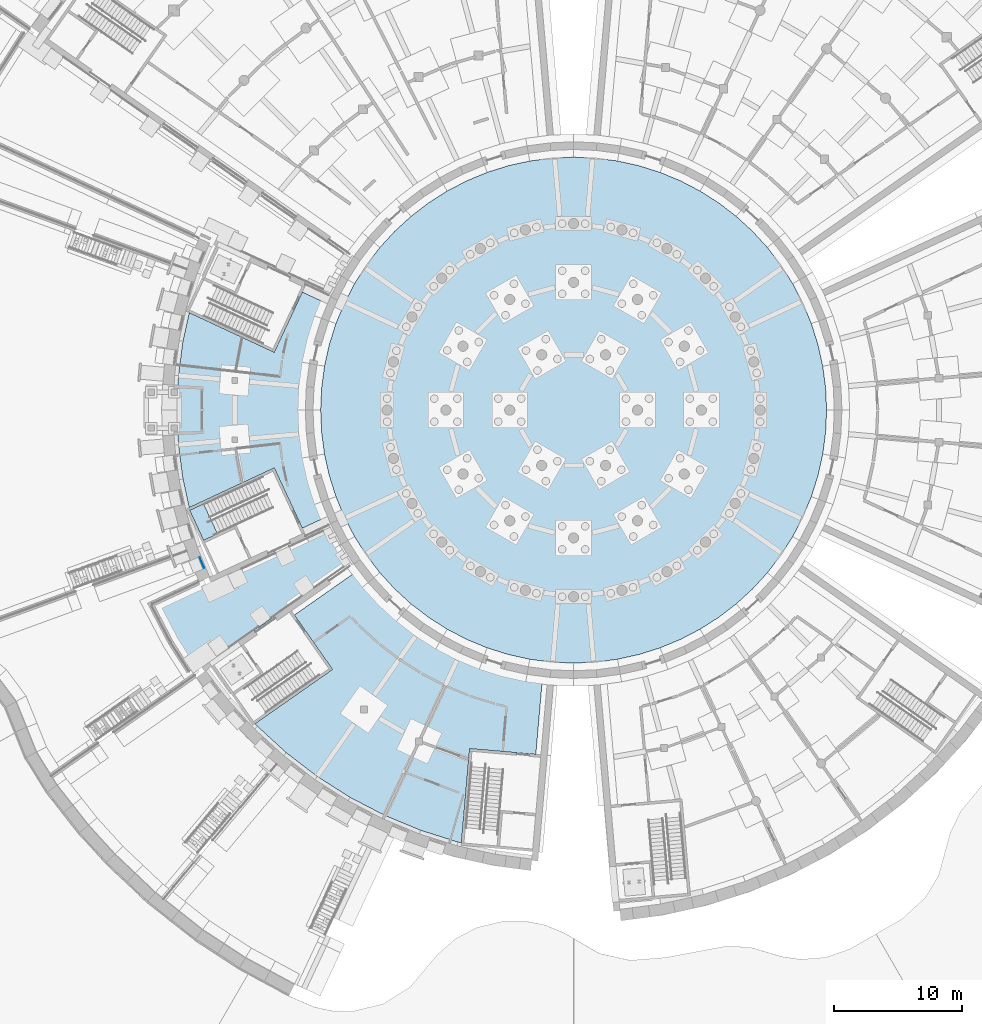
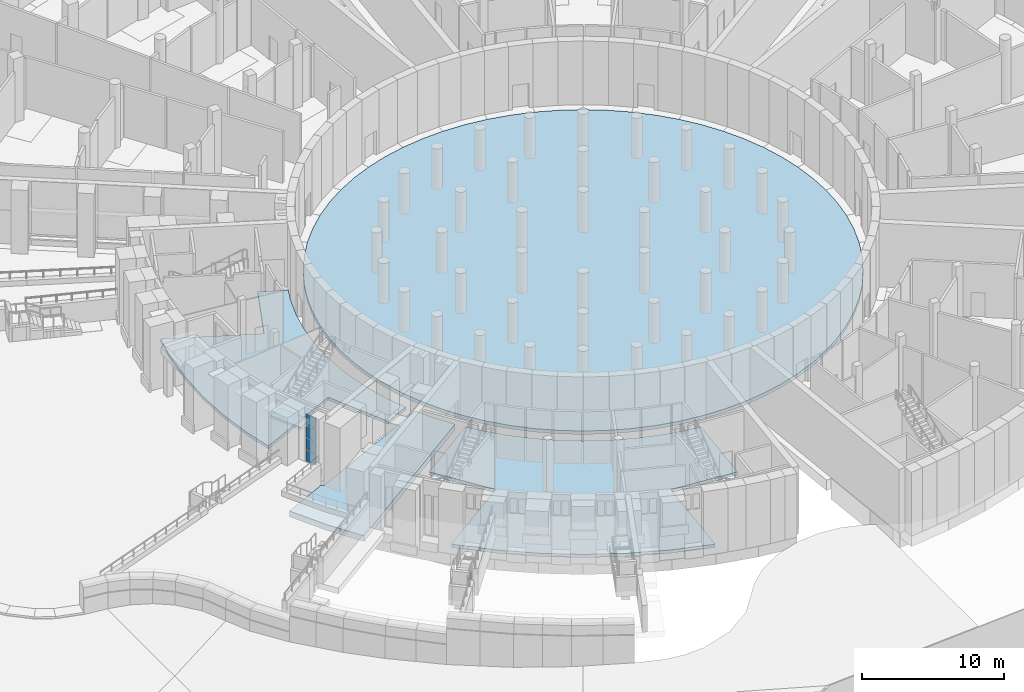
# One storey, part 31 of 65: 5 slabs, 4 plates, 2 elements without a shape of their own.
"""IFC4 building model written with IfcOpenShell, lengths in metres."""

from ifc_helpers import new_model, si_unit, direction, frame, origin, origin_2d, place, context, subcontext, project, spatial, polyline, rectangle, outline, extrude, material, layer, layer_set, type_object, element, aggregate, save


model = new_model("IFC4")

# Units and contexts
model_context = context("Model", 3, precision=1e-05, world=origin(), true_north=direction((0.0, 1.0)))
body_context = subcontext(model_context, "Body", "Model", "MODEL_VIEW")
ifc_project = project(units=[si_unit("LENGTHUNIT", "METRE"), si_unit("AREAUNIT", "SQUARE_METRE"), si_unit("VOLUMEUNIT", "CUBIC_METRE"), si_unit("PLANEANGLEUNIT", "RADIAN"), si_unit("MASSUNIT", "GRAM", prefix="KILO")], contexts=[model_context])

# Site, building, storey
site_placement = place(None, origin())
site = spatial("IfcSite", under=ifc_project, at=site_placement, CompositionType="ELEMENT")
building_placement = place(site_placement, origin())
building = spatial("IfcBuilding", under=site, at=building_placement, Name="Volute Hill Aquarium", CompositionType="ELEMENT")
storey_placement = place(building_placement, frame((0.0, 0.0, -5.5)))
storey = spatial("IfcBuildingStorey", under=building, at=storey_placement, Name="L00", CompositionType="ELEMENT", Elevation=-5.5)

# Slabs
ifc_material_1 = material(Name="Concrete C30/37", Category="concrete")
ifc_layer_1 = layer(ifc_material_1, 0.25)
ifc_layer_set_1 = layer_set([ifc_layer_1], Name="Base slab 250 C30/37")
slab_type_1 = type_object("IfcSlabType", Name="Base slab 250 C30/37", PredefinedType="BASESLAB", material=ifc_layer_set_1)
slab_1_placement = place(storey_placement, frame((0.0, 0.0, -0.25)))
element("IfcSlab", 1, at=slab_1_placement, inside=storey, type_object=slab_type_1, Name="bs/S1/L00/1", PredefinedType="BASESLAB", context=body_context, shape_type="SweptSolid", body=[
    extrude(outline(polyline([(-30.08251953125, 7.628173828125), (-23.43212890625, 4.527099609375), (-21.234619140625, 9.23974609375), (-19.26220703125, 8.320068359375), (-19.7333984375, 7.182373046875), (-20.284423828125, 5.435302734375), (-20.680908203125, 3.646484375), (-20.920166015625, 1.830322265625), (-21.0, 0.0), (-20.920166015625, -1.830322265625), (-20.680908203125, -3.646484375), (-20.284423828125, -5.435302734375), (-19.7333984375, -7.182373046875), (-19.26220703125, -8.320068359375), (-21.234619140625, -9.23974609375), (-23.43212890625, -4.527099609375), (-30.08251953125, -7.628173828125), (-30.578369140625, -5.391845703125), (-30.931884765625, -2.706298828125), (-31.050048828125, 0.0), (-30.931884765625, 2.706298828125), (-30.578369140625, 5.391845703125), (-30.08251953125, 7.628173828125)])), origin(), (0.0, 0.0, 1.0), 0.25),
])
ifc_material_2 = material(Name="Concrete C30/37", Category="concrete")
ifc_layer_2 = layer(ifc_material_2, 0.280029296875)
ifc_layer_set_2 = layer_set([ifc_layer_2], Name="Base slab 280 C30/37")
slab_type_2 = type_object("IfcSlabType", Name="Base slab 280 C30/37", PredefinedType="BASESLAB", material=ifc_layer_set_2)
slab_2_placement = place(storey_placement, frame((0.0, 0.0, -0.280029296875)))
element("IfcSlab", 2, at=slab_2_placement, inside=storey, type_object=slab_type_2, Name="bs/S2/L00/1", PredefinedType="BASESLAB", context=body_context, shape_type="SweptSolid", body=[
    extrude(outline(polyline([(-16.0869140625, -13.49853515625), (-14.84912109375, -14.84912109375), (-13.49853515625, -16.0869140625), (-12.045166015625, -17.2021484375), (-10.5, -18.1865234375), (-8.875, -19.032470703125), (-7.182373046875, -19.7333984375), (-5.435302734375, -20.284423828125), (-3.646484375, -20.680908203125), (-2.42578125, -20.841796875), (-2.959716796875, -26.944580078125), (-8.139892578125, -26.491455078125), (-8.78515625, -33.867919921875), (-9.05859375, -33.807373046875), (-11.970703125, -32.88916015625), (-14.79150390625, -31.720703125), (-17.5, -30.310791015625), (-20.0751953125, -28.67041015625), (-22.49755859375, -26.8115234375), (-24.748779296875, -24.748779296875), (-24.93798828125, -24.542236328125), (-18.872314453125, -20.294921875), (-21.85498046875, -16.035400390625), (-16.836669921875, -12.521484375), (-16.0869140625, -13.49853515625)])), origin(), (0.0, 0.0, 1.0), 0.280029296875),
])

# Curtain wall, plates
ifc_material_3 = material(Name="Aluminium", Category="aluminium")
ifc_layer_3 = layer(ifc_material_3, 0.25)
ifc_layer_set_3 = layer_set([ifc_layer_3], Name="Curtain wall niche S1 module 993")
curtain_wall_type = type_object("IfcCurtainWallType", Name="Curtain wall niche S1 module 993", PredefinedType="NOTDEFINED", material=ifc_layer_set_3)
curtain_wall_placement = place(storey_placement, origin())
curtain_wall = element("IfcCurtainWall", 3, at=curtain_wall_placement, inside=storey, type_object=curtain_wall_type, Name="Curtain wall CW S1 L00 10", PredefinedType="NOTDEFINED")
ifc_material_4 = material(Name="Glass, low-iron laminated", Category="glass")
ifc_layer_4 = layer(ifc_material_4, 0.02392578125)
ifc_layer_set_4 = layer_set([ifc_layer_4], Name="Curtain wall glass panel S1 24")
plate_type = type_object("IfcPlateType", Name="Curtain wall glass panel S1 24", PredefinedType="CURTAIN_PANEL", material=ifc_layer_set_4)
plate_1_placement = place(storey_placement, frame((-29.08935546875, -11.94091796875, 0.800048828125), z_axis=(0.0, 0.0, 1.0), x_axis=(0.382669702059, -0.923885219671, 0.0)))
plate_1 = element("IfcPlate", 4, at=plate_1_placement, type_object=plate_type, Name="CW panel 1.1", PredefinedType="CURTAIN_PANEL", context=body_context, shape_type="SweptSolid", body=[
    extrude(rectangle(XDim=0.892822265625, YDim=0.02392578125, at=origin_2d()), origin(), (0.0, 0.0, 1.0), 0.97509765625),
])
plate_2_placement = place(storey_placement, frame((-29.08935546875, -11.94091796875, 1.824951171875), z_axis=(0.0, 0.0, 1.0), x_axis=(0.382669702059, -0.923885219671, 0.0)))
plate_2 = element("IfcPlate", 5, at=plate_2_placement, type_object=plate_type, Name="CW panel 1.2", PredefinedType="CURTAIN_PANEL", context=body_context, shape_type="SweptSolid", body=[
    extrude(rectangle(XDim=0.892822265625, YDim=0.02392578125, at=origin_2d()), origin(), (0.0, 0.0, 1.0), 1.0),
])
plate_3_placement = place(storey_placement, frame((-29.08935546875, -11.94091796875, 2.875), z_axis=(0.0, 0.0, 1.0), x_axis=(0.382669702059, -0.923885219671, 0.0)))
plate_3 = element("IfcPlate", 6, at=plate_3_placement, type_object=plate_type, Name="CW panel 1.3", PredefinedType="CURTAIN_PANEL", context=body_context, shape_type="SweptSolid", body=[
    extrude(rectangle(XDim=0.892822265625, YDim=0.02392578125, at=origin_2d()), origin(), (0.0, 0.0, 1.0), 1.0),
])
plate_4_placement = place(storey_placement, frame((-29.08935546875, -11.94091796875, 3.925048828125), z_axis=(0.0, 0.0, 1.0), x_axis=(0.382669702059, -0.923885219671, 0.0)))
plate_4 = element("IfcPlate", 7, at=plate_4_placement, type_object=plate_type, Name="CW panel 1.4", PredefinedType="CURTAIN_PANEL", context=body_context, shape_type="SweptSolid", body=[
    extrude(rectangle(XDim=0.892822265625, YDim=0.02392578125, at=origin_2d()), origin(), (0.0, 0.0, 1.0), 0.97509765625),
])
aggregate(curtain_wall, [plate_1, plate_2, plate_3, plate_4])

# Slab
ifc_material_5 = material(Name="Concrete C30/37", Category="concrete")
ifc_layer_5 = layer(ifc_material_5, 0.5)
ifc_layer_set_5 = layer_set([ifc_layer_5], Name="Site paving build-up C30/37 500")
slab_type_3 = type_object("IfcSlabType", Name="Site paving build-up C30/37 500", PredefinedType="BASESLAB", material=ifc_layer_set_5)
slab_3_placement = place(storey_placement, frame((0.0, 0.0, -0.5)))
element("IfcSlab", 8, at=slab_3_placement, inside=storey, type_object=slab_type_3, Name="pv/SC2/L00/0", PredefinedType="BASESLAB", context=body_context, shape_type="SweptSolid", body=[
    extrude(outline(polyline([(-29.228515625, -13.62939453125), (-32.808349609375, -15.298828125), (-31.35009765625, -18.10009765625), (-29.760986328125, -20.5947265625), (-17.309814453125, -11.876220703125), (-18.1865234375, -10.5), (-18.93994140625, -9.052490234375), (-29.143798828125, -13.810791015625), (-29.228515625, -13.62939453125)])), origin(), (0.0, 0.0, 1.0), 0.5),
])

# Stair, slab
ifc_material_6 = material(Name="Concrete C35/45", Category="concrete")
stair_type = type_object("IfcStairType", Name="Stair C35/45", PredefinedType="HALF_TURN_STAIR", material=ifc_material_6)
stair_placement = place(storey_placement, origin())
stair = element("IfcStair", 9, at=stair_placement, inside=storey, type_object=stair_type, Name="ST/S1-B/L00", PredefinedType="HALF_TURN_STAIR")
ifc_material_7 = material(Name="Concrete C35/45", Category="concrete")
ifc_layer_6 = layer(ifc_material_7, 0.199951171875)
ifc_layer_set_6 = layer_set([ifc_layer_6], Name="Stair landing C35/45 200")
slab_type_4 = type_object("IfcSlabType", Name="Stair landing C35/45 200", PredefinedType="LANDING", material=ifc_layer_set_6)
slab_4_placement = place(storey_placement, frame((0.0, 0.0, 2.550048828125)))
slab_4 = element("IfcSlab", 10, at=slab_4_placement, type_object=slab_type_4, Name="ST-S1-B-00 landing 1", PredefinedType="LANDING", context=body_context, shape_type="SweptSolid", body=[
    extrude(outline(polyline([(-28.965087890625, -7.32763671875), (-30.054443359375, -7.835693359375), (-28.95556640625, -10.192138671875), (-27.8662109375, -9.68408203125), (-28.965087890625, -7.32763671875)])), origin(), (0.0, 0.0, 1.0), 0.199951171875),
])
aggregate(stair, [slab_4])

# Slab
ifc_material_8 = material(Name="Concrete C30/37", Category="concrete")
ifc_layer_7 = layer(ifc_material_8, 0.300048828125)
ifc_layer_set_7 = layer_set([ifc_layer_7], Name="Tank hall base slab C30/37 300")
slab_type_5 = type_object("IfcSlabType", Name="Tank hall base slab C30/37 300", PredefinedType="BASESLAB", material=ifc_layer_set_7)
slab_5_placement = place(storey_placement, frame((0.0, 0.0, -0.300048828125)))
element("IfcSlab", 11, at=slab_5_placement, inside=storey, type_object=slab_type_5, Name="bs/DR/L00/1", PredefinedType="BASESLAB", context=body_context, shape_type="SweptSolid", body=[
    extrude(outline(polyline([(19.800048828125, 0.0), (19.724609375, 1.7255859375), (19.499267578125, 3.438232421875), (19.125244140625, 5.12451171875), (18.60595703125, 6.77197265625), (17.94482421875, 8.367919921875), (17.147216796875, 9.89990234375), (16.21923828125, 11.356689453125), (15.167724609375, 12.727294921875), (14.000732421875, 14.000732421875), (12.727294921875, 15.167724609375), (11.356689453125, 16.21923828125), (9.89990234375, 17.147216796875), (8.367919921875, 17.94482421875), (6.77197265625, 18.60595703125), (5.12451171875, 19.125244140625), (3.438232421875, 19.499267578125), (1.7255859375, 19.724609375), (0.0, 19.800048828125), (-1.7255859375, 19.724609375), (-3.438232421875, 19.499267578125), (-5.12451171875, 19.125244140625), (-6.77197265625, 18.60595703125), (-8.367919921875, 17.94482421875), (-9.89990234375, 17.147216796875), (-11.356689453125, 16.21923828125), (-12.727294921875, 15.167724609375), (-14.000732421875, 14.000732421875), (-15.167724609375, 12.727294921875), (-16.21923828125, 11.356689453125), (-17.147216796875, 9.89990234375), (-17.94482421875, 8.367919921875), (-18.60595703125, 6.77197265625), (-19.125244140625, 5.12451171875), (-19.499267578125, 3.438232421875), (-19.724609375, 1.7255859375), (-19.800048828125, 0.0), (-19.724609375, -1.7255859375), (-19.499267578125, -3.438232421875), (-19.125244140625, -5.12451171875), (-18.60595703125, -6.77197265625), (-17.94482421875, -8.367919921875), (-17.147216796875, -9.89990234375), (-16.21923828125, -11.356689453125), (-15.167724609375, -12.727294921875), (-14.000732421875, -14.000732421875), (-12.727294921875, -15.167724609375), (-11.356689453125, -16.21923828125), (-9.89990234375, -17.147216796875), (-8.367919921875, -17.94482421875), (-6.77197265625, -18.60595703125), (-5.12451171875, -19.125244140625), (-3.438232421875, -19.499267578125), (-1.7255859375, -19.724609375), (0.0, -19.800048828125), (1.7255859375, -19.724609375), (3.438232421875, -19.499267578125), (5.12451171875, -19.125244140625), (6.77197265625, -18.60595703125), (8.367919921875, -17.94482421875), (9.89990234375, -17.147216796875), (11.356689453125, -16.21923828125), (12.727294921875, -15.167724609375), (14.000732421875, -14.000732421875), (15.167724609375, -12.727294921875), (16.21923828125, -11.356689453125), (17.147216796875, -9.89990234375), (17.94482421875, -8.367919921875), (18.60595703125, -6.77197265625), (19.125244140625, -5.12451171875), (19.499267578125, -3.438232421875), (19.724609375, -1.7255859375), (19.800048828125, 0.0)])), origin(), (0.0, 0.0, 1.0), 0.300048828125),
])

save(model, "model.ifc")
